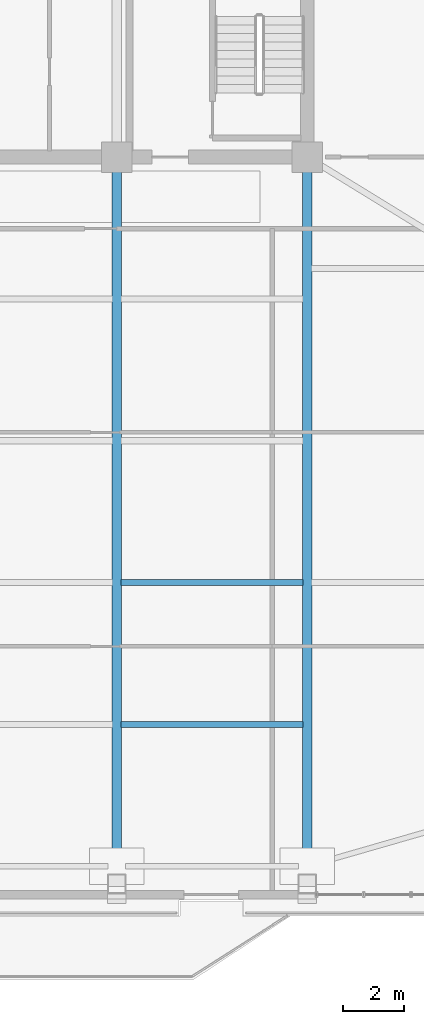
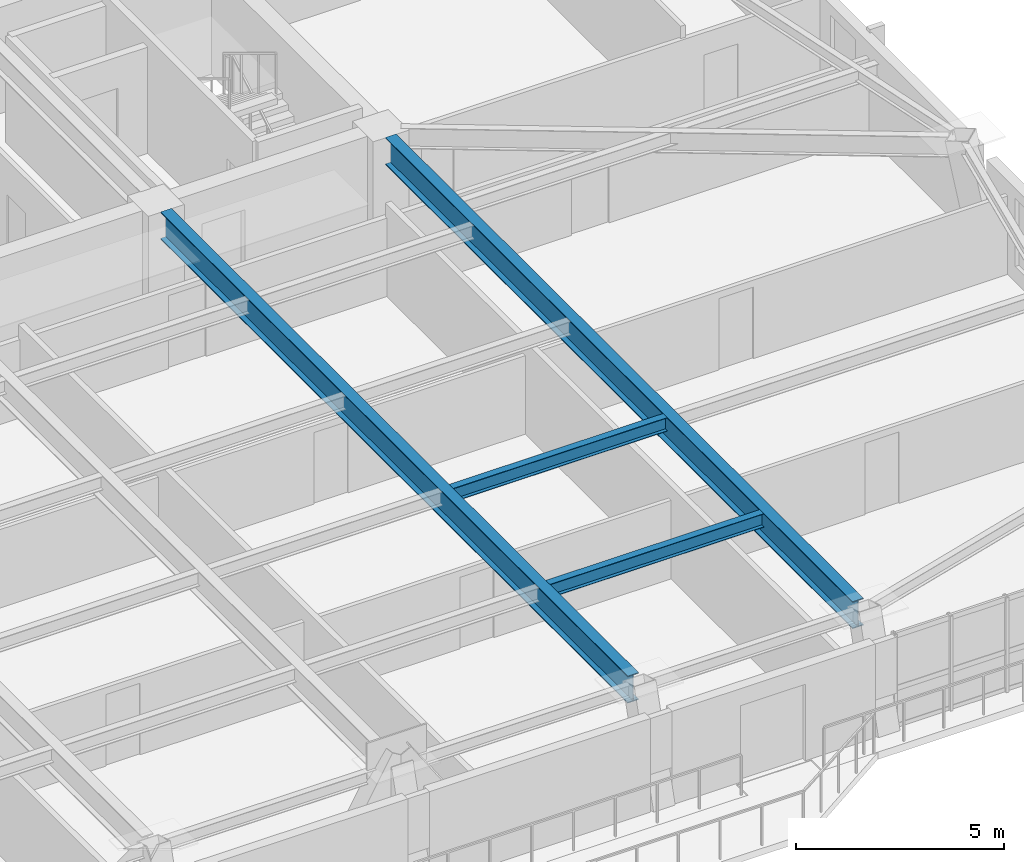
# One storey, part 5 of 16: 4 beams.
"""IFC4 building model written with IfcOpenShell, lengths in metres."""

from ifc_helpers import new_model, si_unit, direction, frame, origin, origin_2d, place, context, subcontext, project, spatial, i_section, extrude, source, transform, mapped, material, material_profile, profile_set, type_object, element, save


model = new_model("IFC4")

# Units and contexts
model_context = context("Model", 3, precision=1e-05, world=origin(), true_north=direction((0.0, 1.0)))
body_context = subcontext(model_context, "Body", "Model", "MODEL_VIEW")
ifc_project = project(units=[si_unit("LENGTHUNIT", "METRE"), si_unit("AREAUNIT", "SQUARE_METRE"), si_unit("VOLUMEUNIT", "CUBIC_METRE"), si_unit("PLANEANGLEUNIT", "RADIAN"), si_unit("MASSUNIT", "GRAM", prefix="KILO")], contexts=[model_context])

# Site, building, storey
site_placement = place(None, origin())
site = spatial("IfcSite", under=ifc_project, at=site_placement, CompositionType="ELEMENT")
building_placement = place(site_placement, origin())
building = spatial("IfcBuilding", under=site, at=building_placement, Name="Giltprow Tower", CompositionType="ELEMENT")
storey_placement = place(building_placement, frame((0.0, 0.0, 233.800048828125)))
storey = spatial("IfcBuildingStorey", under=building, at=storey_placement, Name="L59", CompositionType="ELEMENT", Elevation=233.800048828125)

# Beams
ifc_material = material(Name="Structural steel Q355B", Category="steel")
ifc_material_profile_1 = material_profile(ifc_material, i_section(OverallWidth=0.199951171875, OverallDepth=0.39990234375, WebThickness=0.008056640625, FlangeThickness=0.012939453125, at=origin_2d()), Name="HN 400x200x8x13")
ifc_profile_set_1 = profile_set([ifc_material_profile_1], Name="Structural steel Q355B")
beam_type_1 = type_object("IfcBeamType", Name="BM-JOIST-HN400", PredefinedType="JOIST", material=ifc_profile_set_1)
shared_shape_1 = source(origin(), body_context, "Body", "SweptSolid", [
    extrude(i_section(OverallWidth=0.199951171875, OverallDepth=0.39990234375, WebThickness=0.008056640625, FlangeThickness=0.012939453125, at=origin_2d()), origin(), (0.0, 0.0, 1.0), 5.9599609375),
])
for number, where, z_axis, x_axis, name in (
    (1, (44.445068359375, 18.8359375, 2.919921875), (1.0, 0.0, 0.0), (0.0, 1.0, 0.0), "L59 Composite Floor Joist 1-4"),
    (2, (44.445068359375, 23.489013671875, 2.919921875), (1.0, 0.0, 0.0), (0.0, 1.0, 0.0), "L59 Composite Floor Joist 2-4"),
):
    element("IfcBeam", number, at=place(storey_placement, frame(where, z_axis=z_axis, x_axis=x_axis)), inside=storey, type_object=beam_type_1, Name=name, PredefinedType="JOIST", context=body_context, shape_type="MappedRepresentation", body=[
        mapped(shared_shape_1, transform((0.0, 0.0, 0.0), x_axis=(1.0, 0.0, 0.0), y_axis=(0.0, 1.0, 0.0), z_axis=(0.0, 0.0, 1.0), scale=1.0)),
    ])
ifc_material_profile_2 = material_profile(ifc_material, i_section(OverallWidth=0.300048828125, OverallDepth=0.800048828125, WebThickness=0.013916015625, FlangeThickness=0.02587890625, at=origin_2d()), Name="HN 800x300x14x26")
ifc_profile_set_2 = profile_set([ifc_material_profile_2], Name="Structural steel Q355B")
beam_type_2 = type_object("IfcBeamType", Name="BM-GIRD-HN800", PredefinedType="BEAM", material=ifc_profile_set_2)
shared_shape_2 = source(origin(), body_context, "Body", "SweptSolid", [
    extrude(i_section(OverallWidth=0.300048828125, OverallDepth=0.800048828125, WebThickness=0.013916015625, FlangeThickness=0.02587890625, at=origin_2d()), origin(), (0.0, 0.0, 1.0), 22.498046875),
])
for number, where, z_axis, x_axis, name in (
    (3, (44.300048828125, 14.467041015625, 2.719970703125), (0.0, 1.0, 0.0), (-1.0, 0.0, 0.0), "L59 Primary Lease Girder S3"),
    (4, (50.550048828125, 14.467041015625, 2.719970703125), (0.0, 1.0, 0.0), (-1.0, 0.0, 0.0), "L59 Primary Lease Girder S4"),
):
    element("IfcBeam", number, at=place(storey_placement, frame(where, z_axis=z_axis, x_axis=x_axis)), inside=storey, type_object=beam_type_2, Name=name, PredefinedType="BEAM", context=body_context, shape_type="MappedRepresentation", body=[
        mapped(shared_shape_2, transform((0.0, 0.0, 0.0), x_axis=(1.0, 0.0, 0.0), y_axis=(0.0, 1.0, 0.0), z_axis=(0.0, 0.0, 1.0), scale=1.0)),
    ])

save(model, "model.ifc")
